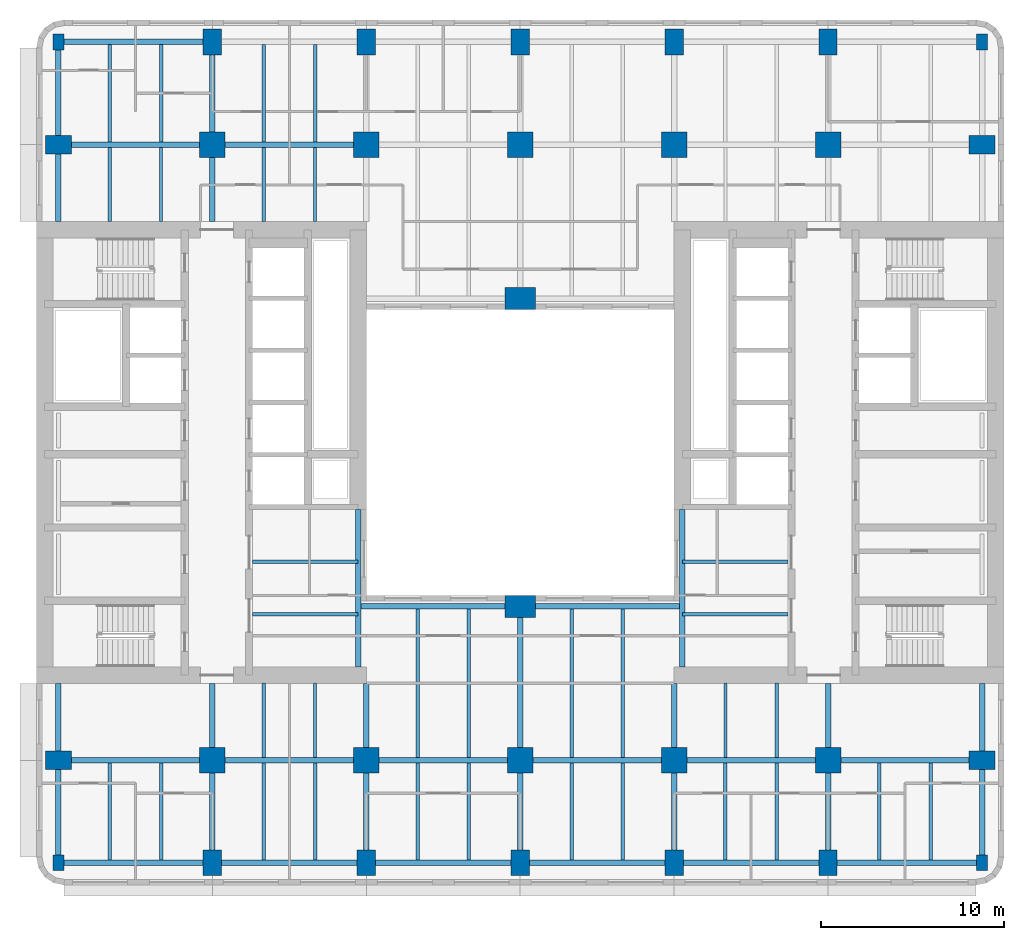
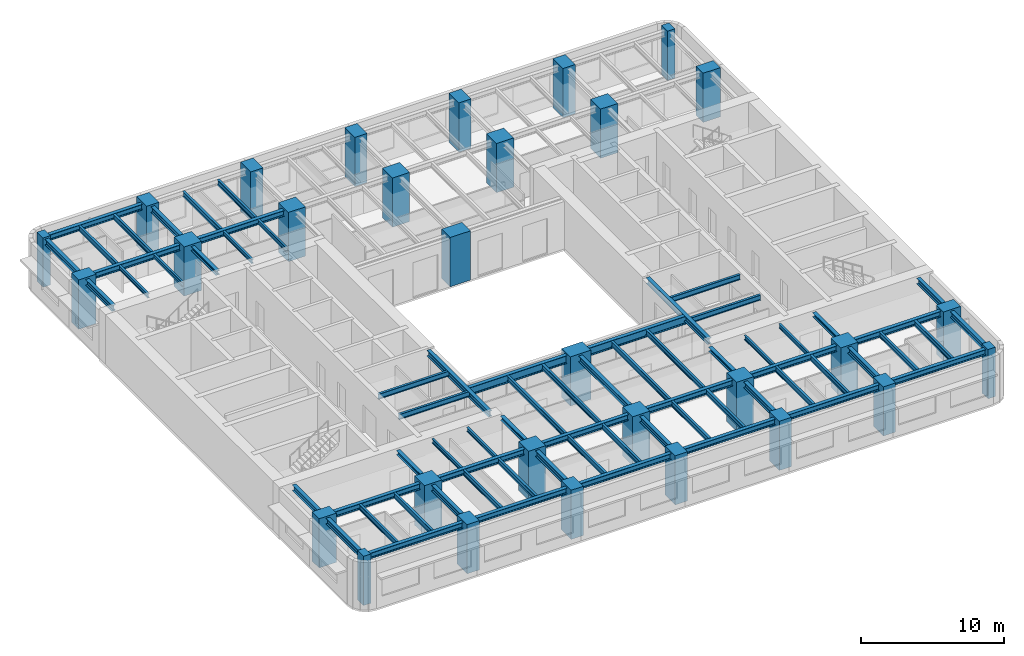
# One storey, part 1 of 11: 69 beams, 30 columns.
"""IFC4 building model written with IfcOpenShell, lengths in metres."""

import ifcopenshell
import ifcopenshell.guid

model = None  # the IFC model being written
_history = None  # IfcOwnerHistory: only IFC2X3 demands one
_inside = {}  # id of a spatial element -> (the spatial element, [elements in it])
_under = {}  # id of a project, library or spatial element -> (it, [spatial elements below it])
_declared = {}  # id of a project -> (the project, [libraries it declares])
_typed = {}  # id of a type object -> (the type object, [elements of that type])
_made_of = {}  # id of a material, layer set ... -> (it, [elements and type objects made of it])


def new_model(schema):
    """Start an empty IFC model of exactly this schema.

    Asked for "IFC4X3", IfcOpenShell would pick the latest addendum, in which some entities
    have other attributes; the version numbers below select the first issue.
    IFC2X3 requires an IfcOwnerHistory on every rooted entity: one is made here for all.
    """
    global model, _history
    if schema == "IFC4X3":
        model = ifcopenshell.file(schema_version=(4, 3, 0, 0))
    else:
        model = ifcopenshell.file(schema=schema)
    _inside.clear()
    _under.clear()
    _declared.clear()
    _typed.clear()
    _made_of.clear()
    _history = None
    if model.schema == "IFC2X3":
        org = make("IfcOrganization", Name="unknown")
        user = make(
            "IfcPersonAndOrganization",
            ThePerson=make("IfcPerson", FamilyName="unknown"),
            TheOrganization=org,
        )
        app = make(
            "IfcApplication",
            ApplicationDeveloper=org,
            Version="unknown",
            ApplicationFullName="unknown",
            ApplicationIdentifier="unknown",
        )
        _history = make(
            "IfcOwnerHistory",
            OwningUser=user,
            OwningApplication=app,
            ChangeAction="ADDED",
            CreationDate=0,
        )
    return model


def make(cls, **values):
    """One entity of the class cls with the attributes given. An attribute that is None is left unset."""
    return model.create_entity(
        cls, **{name: value for name, value in values.items() if value is not None}
    )


def rooted(cls, **values):
    """An entity with a GlobalId (a new one), such as an element, a storey or a relation."""
    return make(cls, GlobalId=ifcopenshell.guid.new(), OwnerHistory=_history, **values)


def si_unit(unit_type, name, prefix=None):
    """IfcSIUnit, for example si_unit("LENGTHUNIT", "METRE", prefix="MILLI")."""
    return make("IfcSIUnit", UnitType=unit_type, Prefix=prefix, Name=name)


def assignment(units):
    """IfcUnitAssignment: the units of a project."""
    return None if units is None else make("IfcUnitAssignment", Units=units)


def point(xyz):
    """IfcCartesianPoint."""
    return None if xyz is None else make("IfcCartesianPoint", Coordinates=xyz)


def direction(xyz):
    """IfcDirection."""
    return None if xyz is None else make("IfcDirection", DirectionRatios=xyz)


def frame(location, z_axis=None, x_axis=None):
    """IfcAxis2Placement3D, a coordinate frame: its origin and axes. An axis left out is left unset."""
    return make(
        "IfcAxis2Placement3D",
        Location=point(location),
        Axis=direction(z_axis),
        RefDirection=direction(x_axis),
    )


def frame_2d(location, x_axis=None):
    """IfcAxis2Placement2D, a coordinate frame in the plane: its origin and x axis."""
    return make(
        "IfcAxis2Placement2D", Location=point(location), RefDirection=direction(x_axis)
    )


def origin():
    """The frame at (0, 0, 0) with its axes left unset."""
    return frame((0.0, 0.0, 0.0))


def origin_2d():
    """The frame at (0, 0) in the plane with its x axis left unset."""
    return frame_2d((0.0, 0.0))


def place(relative_to, where):
    """IfcLocalPlacement: puts the frame where relative to a parent placement (None: the world)."""
    return make(
        "IfcLocalPlacement", PlacementRelTo=relative_to, RelativePlacement=where
    )


def context(
    kind, dimensions, precision=None, world=None, true_north=None, identifier=None
):
    """IfcGeometricRepresentationContext, for example the 3D "Model" context."""
    return make(
        "IfcGeometricRepresentationContext",
        ContextIdentifier=identifier,
        ContextType=kind,
        CoordinateSpaceDimension=dimensions,
        Precision=precision,
        WorldCoordinateSystem=world,
        TrueNorth=true_north,
    )


def subcontext(parent, identifier, kind, view, scale=None):
    """IfcGeometricRepresentationSubContext, for example "Body" below "Model"."""
    return make(
        "IfcGeometricRepresentationSubContext",
        ContextIdentifier=identifier,
        ContextType=kind,
        ParentContext=parent,
        TargetScale=scale,
        TargetView=view,
    )


def project(units=None, contexts=None):
    """IfcProject with its units and contexts."""
    return rooted(
        "IfcProject",
        Name="project",
        RepresentationContexts=contexts,
        UnitsInContext=assignment(units),
    )


def spatial(cls, under=None, at=None, **own):
    """A site, building, storey or space (cls), placed at a placement, below another one or the project."""
    s = rooted(cls, ObjectPlacement=at, **own)
    if under is not None:
        _under.setdefault(under.id(), (under, []))[1].append(s)
    return s


def profile(cls, at=None, kind="AREA", **sizes):
    """A parametric profile (cls). Its sizes go by their IFC names, for example OverallWidth=200.0."""
    return make(cls, ProfileType=kind, Position=at, **sizes)


def rectangle(**sizes):
    """IfcRectangleProfileDef."""
    return profile("IfcRectangleProfileDef", **sizes)


def i_section(**sizes):
    """IfcIShapeProfileDef."""
    return profile("IfcIShapeProfileDef", **sizes)


def extrude(swept, where, along, depth):
    """IfcExtrudedAreaSolid: the profile swept, set in the frame where, extruded along a direction by depth."""
    return make(
        "IfcExtrudedAreaSolid",
        SweptArea=swept,
        Position=where,
        ExtrudedDirection=direction(along),
        Depth=depth,
    )


def shape(context_of_items, identifier, shape_type, items):
    """IfcShapeRepresentation: the items that make up one representation, for example the "Body"."""
    return make(
        "IfcShapeRepresentation",
        ContextOfItems=context_of_items,
        RepresentationIdentifier=identifier,
        RepresentationType=shape_type,
        Items=items,
    )


def material(Name=None, Category=None):
    """IfcMaterial."""
    return make("IfcMaterial", Name=Name, Category=Category)


def material_profile(
    of_material, cross_section, Name=None, Category=None, Priority=None
):
    """IfcMaterialProfile: a cross section and its material."""
    return make(
        "IfcMaterialProfile",
        Name=Name,
        Material=of_material,
        Profile=cross_section,
        Priority=Priority,
        Category=Category,
    )


def profile_set(profiles, Name=None, composite=None):
    """IfcMaterialProfileSet."""
    return make(
        "IfcMaterialProfileSet",
        Name=Name,
        MaterialProfiles=profiles,
        CompositeProfile=composite,
    )


def made_of(thing, what):
    """Note that an element or type object is made of a material, layer set ...; save() writes the relation."""
    if what is not None:
        _made_of.setdefault(what.id(), (what, []))[1].append(thing)
    return thing


def type_object(cls, material=None, **own):
    """A type object (cls), such as IfcWallType, which elements share."""
    return made_of(rooted(cls, **own), material)


def element(
    cls,
    number,
    at=None,
    inside=None,
    cuts=None,
    type_object=None,
    material=None,
    context=None,
    identifier="Body",
    shape_type=None,
    held_by="IfcProductDefinitionShape",
    body=None,
    shapes=None,
    **own,
):
    """One element of the class cls, such as IfcWall. Its Tag is "e" and its number.

    at: its placement. inside: the storey or other place that contains it. cuts: it is an
    opening in that element (IfcRelVoidsElement). A single representation is given by context,
    identifier, shape_type and body (its items); several are given by shapes. held_by: the class
    of the entity that holds the representations. save() writes the other relations.
    """
    e = rooted(cls, Tag="e%d" % number, ObjectPlacement=at, **own)
    if body is not None:
        shapes = [shape(context, identifier, shape_type, body)]
    if shapes is not None:
        e.Representation = make(held_by, Representations=shapes)
    if inside is not None:
        _inside.setdefault(inside.id(), (inside, []))[1].append(e)
    if cuts is not None:
        rooted(
            "IfcRelVoidsElement", RelatingBuildingElement=cuts, RelatedOpeningElement=e
        )
    if type_object is not None:
        _typed.setdefault(type_object.id(), (type_object, []))[1].append(e)
    return made_of(e, material)


def aggregate(whole, parts):
    """IfcRelAggregates: a whole, such as a stair, and the parts it consists of."""
    return rooted("IfcRelAggregates", RelatingObject=whole, RelatedObjects=parts)


def save(model, path):
    """Write the relations noted so far, then the file.

    IfcRelAggregates (storeys below a building ...), IfcRelContainedInSpatialStructure (elements
    in a storey), IfcRelDefinesByType, IfcRelAssociatesMaterial and IfcRelDeclares: one each for
    every whole, place, type object, material and project.
    """
    for whole, parts in _under.values():
        aggregate(whole, parts)
    for where, things in _inside.values():
        rooted(
            "IfcRelContainedInSpatialStructure",
            RelatedElements=things,
            RelatingStructure=where,
        )
    for kind, things in _typed.values():
        rooted("IfcRelDefinesByType", RelatedObjects=things, RelatingType=kind)
    for what, things in _made_of.values():
        rooted("IfcRelAssociatesMaterial", RelatedObjects=things, RelatingMaterial=what)
    for by, libraries in _declared.values():
        rooted("IfcRelDeclares", RelatingContext=by, RelatedDefinitions=libraries)
    model.write(path)


model = new_model("IFC4")

# Units and contexts
model_context = context("Model", 3, precision=1e-05, world=origin(), true_north=direction((0.0, 1.0)))
body_context = subcontext(model_context, "Body", "Model", "MODEL_VIEW")
ifc_project = project(units=[si_unit("LENGTHUNIT", "METRE"), si_unit("AREAUNIT", "SQUARE_METRE"), si_unit("VOLUMEUNIT", "CUBIC_METRE"), si_unit("PLANEANGLEUNIT", "RADIAN"), si_unit("MASSUNIT", "GRAM", prefix="KILO")], contexts=[model_context])

# Site, building, storey
site_placement = place(None, origin())
site = spatial("IfcSite", under=ifc_project, at=site_placement, CompositionType="ELEMENT")
building_placement = place(site_placement, origin())
building = spatial("IfcBuilding", under=site, at=building_placement, Name="Claustro Exchange Tower", CompositionType="ELEMENT")
storey_placement = place(building_placement, frame((0.0, 0.0, 130.199951171875)))
storey = spatial("IfcBuildingStorey", under=building, at=storey_placement, Name="L29", CompositionType="ELEMENT", Elevation=130.199951171875)

# Columns
ifc_material_1 = material(Name="Concrete HA-70 (C70/85)", Category="concrete")
ifc_material_profile_1 = material_profile(ifc_material_1, rectangle(XDim=1.39990234375, YDim=1.39990234375, at=origin_2d()), Name="RC 1400x1400")
ifc_profile_set_1 = profile_set([ifc_material_profile_1], Name="Concrete HA-70 (C70/85)")
column_type_1 = type_object("IfcColumnType", Name="C0 RC 1400x1400 HA-70 column", PredefinedType="COLUMN", material=ifc_profile_set_1)
for number, where, z_axis, x_axis, name in (
    (1, (8.39990234375, 8.39990234375, 0.0), (0.0, 0.0, 1.0), (1.0, 0.0, 0.0), "Column C0 2/B L29"),
    (2, (8.39990234375, 42.0, 0.0), (0.0, 0.0, 1.0), (1.0, 0.0, 0.0), "Column C0 2/F L29"),
    (3, (16.800048828125, 8.39990234375, 0.0), (0.0, 0.0, 1.0), (1.0, 0.0, 0.0), "Column C0 3/B L29"),
    (4, (16.800048828125, 42.0, 0.0), (0.0, 0.0, 1.0), (1.0, 0.0, 0.0), "Column C0 3/F L29"),
    (5, (25.199951171875, 8.39990234375, 0.0), (0.0, 0.0, 1.0), (1.0, 0.0, 0.0), "Column C0 4/B L29"),
    (6, (25.199951171875, 42.0, 0.0), (0.0, 0.0, 1.0), (1.0, 0.0, 0.0), "Column C0 4/F L29"),
    (7, (33.60009765625, 8.39990234375, 0.0), (0.0, 0.0, 1.0), (1.0, 0.0, 0.0), "Column C0 5/B L29"),
    (8, (33.60009765625, 42.0, 0.0), (0.0, 0.0, 1.0), (1.0, 0.0, 0.0), "Column C0 5/F L29"),
    (9, (42.0, 8.39990234375, 0.0), (0.0, 0.0, 1.0), (1.0, 0.0, 0.0), "Column C0 6/B L29"),
    (10, (42.0, 42.0, 0.0), (0.0, 0.0, 1.0), (1.0, 0.0, 0.0), "Column C0 6/F L29"),
):
    element("IfcColumn", number, at=place(storey_placement, frame(where, z_axis=z_axis, x_axis=x_axis)), inside=storey, type_object=column_type_1, Name=name, PredefinedType="COLUMN", context=body_context, shape_type="SweptSolid", body=[
        extrude(rectangle(XDim=1.39990234375, YDim=1.39990234375, at=origin_2d()), origin(), (0.0, 0.0, 1.0), 4.199951171875),
    ])
ifc_material_2 = material(Name="Concrete HA-70 (C70/85)", Category="concrete")
ifc_material_profile_2 = material_profile(ifc_material_2, rectangle(XDim=1.0, YDim=1.39990234375, at=origin_2d()), Name="RC 1000x1400")
ifc_profile_set_2 = profile_set([ifc_material_profile_2], Name="Concrete HA-70 (C70/85)")
column_type_2 = type_object("IfcColumnType", Name="C22 RC 1000x1400 HA-70 perimeter column", PredefinedType="COLUMN", material=ifc_profile_set_2)
for number, where, z_axis, x_axis, name in (
    (11, (0.0, 8.39990234375, 0.0), (0.0, 0.0, 1.0), (0.0, 1.0, 0.0), "Column C22 1/B L29"),
    (12, (0.0, 42.0, 0.0), (0.0, 0.0, 1.0), (0.0, 1.0, 0.0), "Column C22 1/F L29"),
    (13, (8.39990234375, 2.800048828125, 0.0), (0.0, 0.0, 1.0), (1.0, 0.0, 0.0), "Column C22 2/A+2800 L29"),
    (14, (8.39990234375, 47.60009765625, 0.0), (0.0, 0.0, 1.0), (1.0, 0.0, 0.0), "Column C22 2/F+5600 L29"),
    (15, (16.800048828125, 2.800048828125, 0.0), (0.0, 0.0, 1.0), (1.0, 0.0, 0.0), "Column C22 3/A+2800 L29"),
    (16, (16.800048828125, 47.60009765625, 0.0), (0.0, 0.0, 1.0), (1.0, 0.0, 0.0), "Column C22 3/F+5600 L29"),
    (17, (25.199951171875, 2.800048828125, 0.0), (0.0, 0.0, 1.0), (1.0, 0.0, 0.0), "Column C22 4/A+2800 L29"),
    (18, (25.199951171875, 47.60009765625, 0.0), (0.0, 0.0, 1.0), (1.0, 0.0, 0.0), "Column C22 4/F+5600 L29"),
    (19, (33.60009765625, 2.800048828125, 0.0), (0.0, 0.0, 1.0), (1.0, 0.0, 0.0), "Column C22 5/A+2800 L29"),
    (20, (33.60009765625, 47.60009765625, 0.0), (0.0, 0.0, 1.0), (1.0, 0.0, 0.0), "Column C22 5/F+5600 L29"),
    (21, (42.0, 2.800048828125, 0.0), (0.0, 0.0, 1.0), (1.0, 0.0, 0.0), "Column C22 6/A+2800 L29"),
    (22, (42.0, 47.60009765625, 0.0), (0.0, 0.0, 1.0), (1.0, 0.0, 0.0), "Column C22 6/F+5600 L29"),
    (23, (50.39990234375, 8.39990234375, 0.0), (0.0, 0.0, 1.0), (0.0, 1.0, 0.0), "Column C22 7/B L29"),
    (24, (50.39990234375, 42.0, 0.0), (0.0, 0.0, 1.0), (0.0, 1.0, 0.0), "Column C22 7/F L29"),
):
    element("IfcColumn", number, at=place(storey_placement, frame(where, z_axis=z_axis, x_axis=x_axis)), inside=storey, type_object=column_type_2, Name=name, PredefinedType="COLUMN", context=body_context, shape_type="SweptSolid", body=[
        extrude(rectangle(XDim=1.0, YDim=1.39990234375, at=origin_2d()), origin(), (0.0, 0.0, 1.0), 4.199951171875),
    ])
ifc_material_3 = material(Name="Concrete HA-50 (C50/60)", Category="concrete")
ifc_material_profile_3 = material_profile(ifc_material_3, rectangle(XDim=0.60009765625, YDim=0.85009765625, at=origin_2d()), Name="RC 600x850")
ifc_profile_set_3 = profile_set([ifc_material_profile_3], Name="Concrete HA-50 (C50/60)")
column_type_3 = type_object("IfcColumnType", Name="C25 RC 600x850 HA-50 corner column", PredefinedType="COLUMN", material=ifc_profile_set_3)
for number, where, z_axis, x_axis, name in (
    (25, (0.0, 2.800048828125, 0.0), (0.0, 0.0, 1.0), (1.0, 0.0, 0.0), "Column C25 1/A+2800 L29"),
    (26, (0.0, 47.60009765625, 0.0), (0.0, 0.0, 1.0), (1.0, 0.0, 0.0), "Column C25 1/F+5600 L29"),
    (27, (50.39990234375, 2.800048828125, 0.0), (0.0, 0.0, 1.0), (1.0, 0.0, 0.0), "Column C25 7/A+2800 L29"),
    (28, (50.39990234375, 47.60009765625, 0.0), (0.0, 0.0, 1.0), (1.0, 0.0, 0.0), "Column C25 7/F+5600 L29"),
):
    element("IfcColumn", number, at=place(storey_placement, frame(where, z_axis=z_axis, x_axis=x_axis)), inside=storey, type_object=column_type_3, Name=name, PredefinedType="COLUMN", context=body_context, shape_type="SweptSolid", body=[
        extrude(rectangle(XDim=0.60009765625, YDim=0.85009765625, at=origin_2d()), origin(), (0.0, 0.0, 1.0), 4.199951171875),
    ])
ifc_material_4 = material(Name="Concrete HA-70 (C70/85)", Category="concrete")
ifc_material_profile_4 = material_profile(ifc_material_4, rectangle(XDim=1.64990234375, YDim=1.199951171875, at=origin_2d()), Name="RC 1650x1200")
ifc_profile_set_4 = profile_set([ifc_material_profile_4], Name="Concrete HA-70 (C70/85)")
column_type_4 = type_object("IfcColumnType", Name="C32 RC 1650x1200 HA-70 light well column", PredefinedType="COLUMN", material=ifc_profile_set_4)
for number, where, z_axis, x_axis, name in (
    (29, (25.199951171875, 16.800048828125, 0.0), (0.0, 0.0, 1.0), (1.0, 0.0, 0.0), "Column C32 4/C L29"),
    (30, (25.199951171875, 33.60009765625, 0.0), (0.0, 0.0, 1.0), (1.0, 0.0, 0.0), "Column C32 4/E L29"),
):
    element("IfcColumn", number, at=place(storey_placement, frame(where, z_axis=z_axis, x_axis=x_axis)), inside=storey, type_object=column_type_4, Name=name, PredefinedType="COLUMN", context=body_context, shape_type="SweptSolid", body=[
        extrude(rectangle(XDim=1.64990234375, YDim=1.199951171875, at=origin_2d()), origin(), (0.0, 0.0, 1.0), 4.199951171875),
    ])

# Beams
ifc_material_5 = material(Name="Steel S355", Category="steel")
ifc_material_profile_5 = material_profile(ifc_material_5, i_section(OverallWidth=0.300048828125, OverallDepth=0.68994140625, WebThickness=0.014404296875, FlangeThickness=0.027099609375, FilletRadius=0.027099609375, at=origin_2d()), Name="HE 700 A")
ifc_profile_set_5 = profile_set([ifc_material_profile_5], Name="Steel S355")
beam_type_1 = type_object("IfcBeamType", Name="B13 HE 700 A light well edge girder", PredefinedType="BEAM", material=ifc_profile_set_5)
beam_1_placement = place(storey_placement, frame((16.35009765625, 16.800048828125, 3.705078125), z_axis=(1.0, 0.0, 0.0), x_axis=(0.0, 1.0, 0.0)))
element("IfcBeam", 31, at=beam_1_placement, inside=storey, type_object=beam_type_1, Name="Beam B13 L30", PredefinedType="BEAM", context=body_context, shape_type="SweptSolid", body=[
    extrude(i_section(OverallWidth=0.300048828125, OverallDepth=0.68994140625, WebThickness=0.014404296875, FlangeThickness=0.027099609375, FilletRadius=0.027099609375, at=origin_2d()), origin(), (0.0, 0.0, 1.0), 8.849853515625),
])
beam_2_placement = place(storey_placement, frame((25.199951171875, 16.800048828125, 3.705078125), z_axis=(1.0, 0.0, 0.0), x_axis=(0.0, 1.0, 0.0)))
element("IfcBeam", 32, at=beam_2_placement, inside=storey, type_object=beam_type_1, Name="Beam B13 L30", PredefinedType="BEAM", context=body_context, shape_type="SweptSolid", body=[
    extrude(i_section(OverallWidth=0.300048828125, OverallDepth=0.68994140625, WebThickness=0.014404296875, FlangeThickness=0.027099609375, FilletRadius=0.027099609375, at=origin_2d()), origin(), (0.0, 0.0, 1.0), 8.85009765625),
])
ifc_material_6 = material(Name="Steel S355", Category="steel")
ifc_material_profile_6 = material_profile(ifc_material_6, i_section(OverallWidth=0.169921875, OverallDepth=0.360107421875, WebThickness=0.008056640625, FlangeThickness=0.0126953125, FilletRadius=0.01806640625, at=origin_2d()), Name="IPE 360")
ifc_profile_set_6 = profile_set([ifc_material_profile_6], Name="Steel S355")
beam_type_2 = type_object("IfcBeamType", Name="B16 IPE 360 short-span beam", PredefinedType="BEAM", material=ifc_profile_set_6)
for number, where, z_axis, x_axis, name in (
    (33, (2.800048828125, 37.7900390625, 3.8701171875), (0.0, 1.0, 0.0), (-1.0, 0.0, 0.0), "Beam B16 L30"),
    (34, (5.60009765625, 37.7900390625, 3.8701171875), (0.0, 1.0, 0.0), (-1.0, 0.0, 0.0), "Beam B16 L30"),
    (35, (11.199951171875, 8.550048828125, 3.8701171875), (0.0, 1.0, 0.0), (-1.0, 0.0, 0.0), "Beam B16 L30"),
    (36, (14.0, 8.550048828125, 3.8701171875), (0.0, 1.0, 0.0), (-1.0, 0.0, 0.0), "Beam B16 L30"),
    (37, (11.199951171875, 37.7900390625, 3.8701171875), (0.0, 1.0, 0.0), (-1.0, 0.0, 0.0), "Beam B16 L30"),
    (38, (14.0, 37.7900390625, 3.8701171875), (0.0, 1.0, 0.0), (-1.0, 0.0, 0.0), "Beam B16 L30"),
    (39, (36.39990234375, 8.550048828125, 3.8701171875), (0.0, 1.0, 0.0), (-1.0, 0.0, 0.0), "Beam B16 L30"),
    (40, (39.199951171875, 8.550048828125, 3.8701171875), (0.0, 1.0, 0.0), (-1.0, 0.0, 0.0), "Beam B16 L30"),
):
    element("IfcBeam", number, at=place(storey_placement, frame(where, z_axis=z_axis, x_axis=x_axis)), inside=storey, type_object=beam_type_2, Name=name, PredefinedType="BEAM", context=body_context, shape_type="SweptSolid", body=[
        extrude(i_section(OverallWidth=0.169921875, OverallDepth=0.360107421875, WebThickness=0.008056640625, FlangeThickness=0.0126953125, FilletRadius=0.01806640625, at=origin_2d()), origin(), (0.0, 0.0, 1.0), 4.06005859375),
    ])
ifc_material_7 = material(Name="Steel S355", Category="steel")
ifc_material_profile_7 = material_profile(ifc_material_7, i_section(OverallWidth=0.300048828125, OverallDepth=0.360107421875, WebThickness=0.012451171875, FlangeThickness=0.0224609375, FilletRadius=0.027099609375, at=origin_2d()), Name="HE 360 B")
ifc_profile_set_7 = profile_set([ifc_material_profile_7], Name="Steel S355")
beam_type_3 = type_object("IfcBeamType", Name="B29 HE 360 B column to core link beam", PredefinedType="BEAM", material=ifc_profile_set_7)
beam_3_placement = place(storey_placement, frame((8.39990234375, 8.39990234375, 3.8701171875), z_axis=(0.0, 1.0, 0.0), x_axis=(-1.0, 0.0, 0.0)))
element("IfcBeam", 41, at=beam_3_placement, inside=storey, type_object=beam_type_3, Name="Beam B29 L30", PredefinedType="BEAM", context=body_context, shape_type="SweptSolid", body=[
    extrude(i_section(OverallWidth=0.300048828125, OverallDepth=0.360107421875, WebThickness=0.012451171875, FlangeThickness=0.0224609375, FilletRadius=0.027099609375, at=origin_2d()), origin(), (0.0, 0.0, 1.0), 4.2001953125),
])
beam_4_placement = place(storey_placement, frame((8.39990234375, 37.800048828125, 3.8701171875), z_axis=(0.0, 1.0, 0.0), x_axis=(-1.0, 0.0, 0.0)))
element("IfcBeam", 42, at=beam_4_placement, inside=storey, type_object=beam_type_3, Name="Beam B29 L30", PredefinedType="BEAM", context=body_context, shape_type="SweptSolid", body=[
    extrude(i_section(OverallWidth=0.300048828125, OverallDepth=0.360107421875, WebThickness=0.012451171875, FlangeThickness=0.0224609375, FilletRadius=0.027099609375, at=origin_2d()), origin(), (0.0, 0.0, 1.0), 4.199951171875),
])
for number, where, z_axis, x_axis, name in (
    (43, (16.800048828125, 8.39990234375, 3.8701171875), (0.0, 1.0, 0.0), (-1.0, 0.0, 0.0), "Beam B29 L30"),
    (44, (33.60009765625, 8.39990234375, 3.8701171875), (0.0, 1.0, 0.0), (-1.0, 0.0, 0.0), "Beam B29 L30"),
    (45, (42.0, 8.39990234375, 3.8701171875), (0.0, 1.0, 0.0), (-1.0, 0.0, 0.0), "Beam B29 L30"),
):
    element("IfcBeam", number, at=place(storey_placement, frame(where, z_axis=z_axis, x_axis=x_axis)), inside=storey, type_object=beam_type_3, Name=name, PredefinedType="BEAM", context=body_context, shape_type="SweptSolid", body=[
        extrude(i_section(OverallWidth=0.300048828125, OverallDepth=0.360107421875, WebThickness=0.012451171875, FlangeThickness=0.0224609375, FilletRadius=0.027099609375, at=origin_2d()), origin(), (0.0, 0.0, 1.0), 4.2001953125),
    ])
ifc_material_8 = material(Name="Steel S355", Category="steel")
ifc_material_profile_8 = material_profile(ifc_material_8, i_section(OverallWidth=0.300048828125, OverallDepth=0.5, WebThickness=0.014404296875, FlangeThickness=0.028076171875, FilletRadius=0.027099609375, at=origin_2d()), Name="HE 500 B")
ifc_profile_set_8 = profile_set([ifc_material_profile_8], Name="Steel S355")
beam_type_4 = type_object("IfcBeamType", Name="B7 HE 500 B floor girder", PredefinedType="BEAM", material=ifc_profile_set_8)
beam_5_placement = place(storey_placement, frame((8.39990234375, 2.800048828125, 3.800048828125), z_axis=(0.0, 1.0, 0.0), x_axis=(-1.0, 0.0, 0.0)))
element("IfcBeam", 46, at=beam_5_placement, inside=storey, type_object=beam_type_4, Name="Beam B7 L30", PredefinedType="BEAM", context=body_context, shape_type="SweptSolid", body=[
    extrude(i_section(OverallWidth=0.300048828125, OverallDepth=0.5, WebThickness=0.014404296875, FlangeThickness=0.028076171875, FilletRadius=0.027099609375, at=origin_2d()), origin(), (0.0, 0.0, 1.0), 5.599853515625),
])
beam_6_placement = place(storey_placement, frame((8.39990234375, 42.0, 3.800048828125), z_axis=(0.0, 1.0, 0.0), x_axis=(-1.0, 0.0, 0.0)))
element("IfcBeam", 47, at=beam_6_placement, inside=storey, type_object=beam_type_4, Name="Beam B7 L30", PredefinedType="BEAM", context=body_context, shape_type="SweptSolid", body=[
    extrude(i_section(OverallWidth=0.300048828125, OverallDepth=0.5, WebThickness=0.014404296875, FlangeThickness=0.028076171875, FilletRadius=0.027099609375, at=origin_2d()), origin(), (0.0, 0.0, 1.0), 5.60009765625),
])
for number, where, z_axis, x_axis, name in (
    (48, (16.800048828125, 2.800048828125, 3.800048828125), (0.0, 1.0, 0.0), (-1.0, 0.0, 0.0), "Beam B7 L30"),
    (49, (25.199951171875, 2.800048828125, 3.800048828125), (0.0, 1.0, 0.0), (-1.0, 0.0, 0.0), "Beam B7 L30"),
):
    element("IfcBeam", number, at=place(storey_placement, frame(where, z_axis=z_axis, x_axis=x_axis)), inside=storey, type_object=beam_type_4, Name=name, PredefinedType="BEAM", context=body_context, shape_type="SweptSolid", body=[
        extrude(i_section(OverallWidth=0.300048828125, OverallDepth=0.5, WebThickness=0.014404296875, FlangeThickness=0.028076171875, FilletRadius=0.027099609375, at=origin_2d()), origin(), (0.0, 0.0, 1.0), 5.599853515625),
    ])
beam_7_placement = place(storey_placement, frame((25.199951171875, 8.39990234375, 3.800048828125), z_axis=(0.0, 1.0, 0.0), x_axis=(-1.0, 0.0, 0.0)))
element("IfcBeam", 50, at=beam_7_placement, inside=storey, type_object=beam_type_4, Name="Beam B7 L30", PredefinedType="BEAM", context=body_context, shape_type="SweptSolid", body=[
    extrude(i_section(OverallWidth=0.300048828125, OverallDepth=0.5, WebThickness=0.014404296875, FlangeThickness=0.028076171875, FilletRadius=0.027099609375, at=origin_2d()), origin(), (0.0, 0.0, 1.0), 8.400146484375),
])
for number, where, z_axis, x_axis, name in (
    (51, (33.60009765625, 2.800048828125, 3.800048828125), (0.0, 1.0, 0.0), (-1.0, 0.0, 0.0), "Beam B7 L30"),
    (52, (42.0, 2.800048828125, 3.800048828125), (0.0, 1.0, 0.0), (-1.0, 0.0, 0.0), "Beam B7 L30"),
):
    element("IfcBeam", number, at=place(storey_placement, frame(where, z_axis=z_axis, x_axis=x_axis)), inside=storey, type_object=beam_type_4, Name=name, PredefinedType="BEAM", context=body_context, shape_type="SweptSolid", body=[
        extrude(i_section(OverallWidth=0.300048828125, OverallDepth=0.5, WebThickness=0.014404296875, FlangeThickness=0.028076171875, FilletRadius=0.027099609375, at=origin_2d()), origin(), (0.0, 0.0, 1.0), 5.599853515625),
    ])
beam_8_placement = place(storey_placement, frame((0.0, 8.39990234375, 3.800048828125), z_axis=(1.0, 0.0, 0.0), x_axis=(0.0, 1.0, 0.0)))
element("IfcBeam", 53, at=beam_8_placement, inside=storey, type_object=beam_type_4, Name="Beam B7 L30", PredefinedType="BEAM", context=body_context, shape_type="SweptSolid", body=[
    extrude(i_section(OverallWidth=0.300048828125, OverallDepth=0.5, WebThickness=0.014404296875, FlangeThickness=0.028076171875, FilletRadius=0.027099609375, at=origin_2d()), origin(), (0.0, 0.0, 1.0), 8.39990234375),
])
beam_9_placement = place(storey_placement, frame((8.39990234375, 8.39990234375, 3.800048828125), z_axis=(1.0, 0.0, 0.0), x_axis=(0.0, 1.0, 0.0)))
element("IfcBeam", 54, at=beam_9_placement, inside=storey, type_object=beam_type_4, Name="Beam B7 L30", PredefinedType="BEAM", context=body_context, shape_type="SweptSolid", body=[
    extrude(i_section(OverallWidth=0.300048828125, OverallDepth=0.5, WebThickness=0.014404296875, FlangeThickness=0.028076171875, FilletRadius=0.027099609375, at=origin_2d()), origin(), (0.0, 0.0, 1.0), 8.400146484375),
])
beam_10_placement = place(storey_placement, frame((16.800048828125, 8.39990234375, 3.800048828125), z_axis=(1.0, 0.0, 0.0), x_axis=(0.0, 1.0, 0.0)))
element("IfcBeam", 55, at=beam_10_placement, inside=storey, type_object=beam_type_4, Name="Beam B7 L30", PredefinedType="BEAM", context=body_context, shape_type="SweptSolid", body=[
    extrude(i_section(OverallWidth=0.300048828125, OverallDepth=0.5, WebThickness=0.014404296875, FlangeThickness=0.028076171875, FilletRadius=0.027099609375, at=origin_2d()), origin(), (0.0, 0.0, 1.0), 8.39990234375),
])
beam_11_placement = place(storey_placement, frame((25.199951171875, 8.39990234375, 3.800048828125), z_axis=(1.0, 0.0, 0.0), x_axis=(0.0, 1.0, 0.0)))
element("IfcBeam", 56, at=beam_11_placement, inside=storey, type_object=beam_type_4, Name="Beam B7 L30", PredefinedType="BEAM", context=body_context, shape_type="SweptSolid", body=[
    extrude(i_section(OverallWidth=0.300048828125, OverallDepth=0.5, WebThickness=0.014404296875, FlangeThickness=0.028076171875, FilletRadius=0.027099609375, at=origin_2d()), origin(), (0.0, 0.0, 1.0), 8.400146484375),
])
for number, where, z_axis, x_axis, name in (
    (57, (33.60009765625, 8.39990234375, 3.800048828125), (1.0, 0.0, 0.0), (0.0, 1.0, 0.0), "Beam B7 L30"),
    (58, (42.0, 8.39990234375, 3.800048828125), (1.0, 0.0, 0.0), (0.0, 1.0, 0.0), "Beam B7 L30"),
    (59, (0.0, 42.0, 3.800048828125), (1.0, 0.0, 0.0), (0.0, 1.0, 0.0), "Beam B7 L30"),
):
    element("IfcBeam", number, at=place(storey_placement, frame(where, z_axis=z_axis, x_axis=x_axis)), inside=storey, type_object=beam_type_4, Name=name, PredefinedType="BEAM", context=body_context, shape_type="SweptSolid", body=[
        extrude(i_section(OverallWidth=0.300048828125, OverallDepth=0.5, WebThickness=0.014404296875, FlangeThickness=0.028076171875, FilletRadius=0.027099609375, at=origin_2d()), origin(), (0.0, 0.0, 1.0), 8.39990234375),
    ])
beam_12_placement = place(storey_placement, frame((8.39990234375, 42.0, 3.800048828125), z_axis=(1.0, 0.0, 0.0), x_axis=(0.0, 1.0, 0.0)))
element("IfcBeam", 60, at=beam_12_placement, inside=storey, type_object=beam_type_4, Name="Beam B7 L30", PredefinedType="BEAM", context=body_context, shape_type="SweptSolid", body=[
    extrude(i_section(OverallWidth=0.300048828125, OverallDepth=0.5, WebThickness=0.014404296875, FlangeThickness=0.028076171875, FilletRadius=0.027099609375, at=origin_2d()), origin(), (0.0, 0.0, 1.0), 8.400146484375),
])
for number, where, z_axis, x_axis, name in (
    (61, (16.35009765625, 13.5, 3.800048828125), (0.0, 1.0, 0.0), (-1.0, 0.0, 0.0), "Beam B7 core step framing L30"),
    (62, (34.050048828125, 13.5, 3.800048828125), (0.0, 1.0, 0.0), (-1.0, 0.0, 0.0), "Beam B7 core step framing L30"),
):
    element("IfcBeam", number, at=place(storey_placement, frame(where, z_axis=z_axis, x_axis=x_axis)), inside=storey, type_object=beam_type_4, Name=name, PredefinedType="BEAM", context=body_context, shape_type="SweptSolid", body=[
        extrude(i_section(OverallWidth=0.300048828125, OverallDepth=0.5, WebThickness=0.014404296875, FlangeThickness=0.028076171875, FilletRadius=0.027099609375, at=origin_2d()), origin(), (0.0, 0.0, 1.0), 8.60009765625),
    ])
ifc_material_9 = material(Name="Steel S355", Category="steel")
ifc_material_profile_9 = material_profile(ifc_material_9, i_section(OverallWidth=0.18994140625, OverallDepth=0.449951171875, WebThickness=0.009521484375, FlangeThickness=0.0146484375, FilletRadius=0.02099609375, at=origin_2d()), Name="IPE 450")
ifc_profile_set_9 = profile_set([ifc_material_profile_9], Name="Steel S355")
beam_type_5 = type_object("IfcBeamType", Name="B8 IPE 450 secondary beam", PredefinedType="BEAM", material=ifc_profile_set_9)
for number, where, z_axis, x_axis, name in (
    (63, (2.800048828125, 2.949951171875, 3.824951171875), (0.0, 1.0, 0.0), (-1.0, 0.0, 0.0), "Beam B8 L30"),
    (64, (5.60009765625, 2.949951171875, 3.824951171875), (0.0, 1.0, 0.0), (-1.0, 0.0, 0.0), "Beam B8 L30"),
    (65, (2.800048828125, 42.14990234375, 3.824951171875), (0.0, 1.0, 0.0), (-1.0, 0.0, 0.0), "Beam B8 L30"),
    (66, (5.60009765625, 42.14990234375, 3.824951171875), (0.0, 1.0, 0.0), (-1.0, 0.0, 0.0), "Beam B8 L30"),
    (67, (11.199951171875, 2.949951171875, 3.824951171875), (0.0, 1.0, 0.0), (-1.0, 0.0, 0.0), "Beam B8 L30"),
    (68, (14.0, 2.949951171875, 3.824951171875), (0.0, 1.0, 0.0), (-1.0, 0.0, 0.0), "Beam B8 L30"),
    (69, (11.199951171875, 42.14990234375, 3.824951171875), (0.0, 1.0, 0.0), (-1.0, 0.0, 0.0), "Beam B8 L30"),
    (70, (14.0, 42.14990234375, 3.824951171875), (0.0, 1.0, 0.0), (-1.0, 0.0, 0.0), "Beam B8 L30"),
    (71, (19.60009765625, 2.949951171875, 3.824951171875), (0.0, 1.0, 0.0), (-1.0, 0.0, 0.0), "Beam B8 L30"),
    (72, (22.39990234375, 2.949951171875, 3.824951171875), (0.0, 1.0, 0.0), (-1.0, 0.0, 0.0), "Beam B8 L30"),
):
    element("IfcBeam", number, at=place(storey_placement, frame(where, z_axis=z_axis, x_axis=x_axis)), inside=storey, type_object=beam_type_5, Name=name, PredefinedType="BEAM", context=body_context, shape_type="SweptSolid", body=[
        extrude(i_section(OverallWidth=0.18994140625, OverallDepth=0.449951171875, WebThickness=0.009521484375, FlangeThickness=0.0146484375, FilletRadius=0.02099609375, at=origin_2d()), origin(), (0.0, 0.0, 1.0), 5.300048828125),
    ])
for number, where, z_axis, x_axis, name in (
    (73, (19.60009765625, 8.550048828125, 3.824951171875), (0.0, 1.0, 0.0), (-1.0, 0.0, 0.0), "Beam B8 L30"),
    (74, (22.39990234375, 8.550048828125, 3.824951171875), (0.0, 1.0, 0.0), (-1.0, 0.0, 0.0), "Beam B8 L30"),
):
    element("IfcBeam", number, at=place(storey_placement, frame(where, z_axis=z_axis, x_axis=x_axis)), inside=storey, type_object=beam_type_5, Name=name, PredefinedType="BEAM", context=body_context, shape_type="SweptSolid", body=[
        extrude(i_section(OverallWidth=0.18994140625, OverallDepth=0.449951171875, WebThickness=0.009521484375, FlangeThickness=0.0146484375, FilletRadius=0.02099609375, at=origin_2d()), origin(), (0.0, 0.0, 1.0), 8.099853515625),
    ])
for number, where, z_axis, x_axis, name in (
    (75, (28.0, 2.949951171875, 3.824951171875), (0.0, 1.0, 0.0), (-1.0, 0.0, 0.0), "Beam B8 L30"),
    (76, (30.800048828125, 2.949951171875, 3.824951171875), (0.0, 1.0, 0.0), (-1.0, 0.0, 0.0), "Beam B8 L30"),
):
    element("IfcBeam", number, at=place(storey_placement, frame(where, z_axis=z_axis, x_axis=x_axis)), inside=storey, type_object=beam_type_5, Name=name, PredefinedType="BEAM", context=body_context, shape_type="SweptSolid", body=[
        extrude(i_section(OverallWidth=0.18994140625, OverallDepth=0.449951171875, WebThickness=0.009521484375, FlangeThickness=0.0146484375, FilletRadius=0.02099609375, at=origin_2d()), origin(), (0.0, 0.0, 1.0), 5.300048828125),
    ])
for number, where, z_axis, x_axis, name in (
    (77, (28.0, 8.550048828125, 3.824951171875), (0.0, 1.0, 0.0), (-1.0, 0.0, 0.0), "Beam B8 L30"),
    (78, (30.800048828125, 8.550048828125, 3.824951171875), (0.0, 1.0, 0.0), (-1.0, 0.0, 0.0), "Beam B8 L30"),
):
    element("IfcBeam", number, at=place(storey_placement, frame(where, z_axis=z_axis, x_axis=x_axis)), inside=storey, type_object=beam_type_5, Name=name, PredefinedType="BEAM", context=body_context, shape_type="SweptSolid", body=[
        extrude(i_section(OverallWidth=0.18994140625, OverallDepth=0.449951171875, WebThickness=0.009521484375, FlangeThickness=0.0146484375, FilletRadius=0.02099609375, at=origin_2d()), origin(), (0.0, 0.0, 1.0), 8.099853515625),
    ])
for number, where, z_axis, x_axis, name in (
    (79, (36.39990234375, 2.949951171875, 3.824951171875), (0.0, 1.0, 0.0), (-1.0, 0.0, 0.0), "Beam B8 L30"),
    (80, (39.199951171875, 2.949951171875, 3.824951171875), (0.0, 1.0, 0.0), (-1.0, 0.0, 0.0), "Beam B8 L30"),
    (81, (44.800048828125, 2.949951171875, 3.824951171875), (0.0, 1.0, 0.0), (-1.0, 0.0, 0.0), "Beam B8 L30"),
    (82, (47.60009765625, 2.949951171875, 3.824951171875), (0.0, 1.0, 0.0), (-1.0, 0.0, 0.0), "Beam B8 L30"),
):
    element("IfcBeam", number, at=place(storey_placement, frame(where, z_axis=z_axis, x_axis=x_axis)), inside=storey, type_object=beam_type_5, Name=name, PredefinedType="BEAM", context=body_context, shape_type="SweptSolid", body=[
        extrude(i_section(OverallWidth=0.18994140625, OverallDepth=0.449951171875, WebThickness=0.009521484375, FlangeThickness=0.0146484375, FilletRadius=0.02099609375, at=origin_2d()), origin(), (0.0, 0.0, 1.0), 5.300048828125),
    ])
for number, where, z_axis, x_axis, name in (
    (83, (10.60009765625, 16.36669921875, 3.824951171875), (1.0, 0.0, 0.0), (0.0, 1.0, 0.0), "Beam B8 core step framing L30"),
    (84, (10.60009765625, 19.2333984375, 3.824951171875), (1.0, 0.0, 0.0), (0.0, 1.0, 0.0), "Beam B8 core step framing L30"),
    (85, (34.050048828125, 16.36669921875, 3.824951171875), (1.0, 0.0, 0.0), (0.0, 1.0, 0.0), "Beam B8 core step framing L30"),
    (86, (34.050048828125, 19.2333984375, 3.824951171875), (1.0, 0.0, 0.0), (0.0, 1.0, 0.0), "Beam B8 core step framing L30"),
):
    element("IfcBeam", number, at=place(storey_placement, frame(where, z_axis=z_axis, x_axis=x_axis)), inside=storey, type_object=beam_type_5, Name=name, PredefinedType="BEAM", context=body_context, shape_type="SweptSolid", body=[
        extrude(i_section(OverallWidth=0.18994140625, OverallDepth=0.449951171875, WebThickness=0.009521484375, FlangeThickness=0.0146484375, FilletRadius=0.02099609375, at=origin_2d()), origin(), (0.0, 0.0, 1.0), 5.75),
    ])
ifc_material_10 = material(Name="Steel S355", Category="steel")
ifc_material_profile_10 = material_profile(ifc_material_10, i_section(OverallWidth=0.300048828125, OverallDepth=0.489990234375, WebThickness=0.011962890625, FlangeThickness=0.02294921875, FilletRadius=0.027099609375, at=origin_2d()), Name="HE 500 A")
ifc_profile_set_10 = profile_set([ifc_material_profile_10], Name="Steel S355")
beam_type_6 = type_object("IfcBeamType", Name="B9 HE 500 A spandrel edge girder", PredefinedType="SPANDREL", material=ifc_profile_set_10)
beam_13_placement = place(storey_placement, frame((0.0, 2.800048828125, 3.804931640625), z_axis=(0.0, 1.0, 0.0), x_axis=(-1.0, 0.0, 0.0)))
element("IfcBeam", 87, at=beam_13_placement, inside=storey, type_object=beam_type_6, Name="Beam B9 L30", PredefinedType="SPANDREL", context=body_context, shape_type="SweptSolid", body=[
    extrude(i_section(OverallWidth=0.300048828125, OverallDepth=0.489990234375, WebThickness=0.011962890625, FlangeThickness=0.02294921875, FilletRadius=0.027099609375, at=origin_2d()), origin(), (0.0, 0.0, 1.0), 5.599853515625),
])
beam_14_placement = place(storey_placement, frame((0.0, 8.39990234375, 3.804931640625), z_axis=(0.0, 1.0, 0.0), x_axis=(-1.0, 0.0, 0.0)))
element("IfcBeam", 88, at=beam_14_placement, inside=storey, type_object=beam_type_6, Name="Beam B9 L30", PredefinedType="SPANDREL", context=body_context, shape_type="SweptSolid", body=[
    extrude(i_section(OverallWidth=0.300048828125, OverallDepth=0.489990234375, WebThickness=0.011962890625, FlangeThickness=0.02294921875, FilletRadius=0.027099609375, at=origin_2d()), origin(), (0.0, 0.0, 1.0), 4.2001953125),
])
beam_15_placement = place(storey_placement, frame((0.0, 37.800048828125, 3.804931640625), z_axis=(0.0, 1.0, 0.0), x_axis=(-1.0, 0.0, 0.0)))
element("IfcBeam", 89, at=beam_15_placement, inside=storey, type_object=beam_type_6, Name="Beam B9 L30", PredefinedType="SPANDREL", context=body_context, shape_type="SweptSolid", body=[
    extrude(i_section(OverallWidth=0.300048828125, OverallDepth=0.489990234375, WebThickness=0.011962890625, FlangeThickness=0.02294921875, FilletRadius=0.027099609375, at=origin_2d()), origin(), (0.0, 0.0, 1.0), 4.199951171875),
])
beam_16_placement = place(storey_placement, frame((0.0, 42.0, 3.804931640625), z_axis=(0.0, 1.0, 0.0), x_axis=(-1.0, 0.0, 0.0)))
element("IfcBeam", 90, at=beam_16_placement, inside=storey, type_object=beam_type_6, Name="Beam B9 L30", PredefinedType="SPANDREL", context=body_context, shape_type="SweptSolid", body=[
    extrude(i_section(OverallWidth=0.300048828125, OverallDepth=0.489990234375, WebThickness=0.011962890625, FlangeThickness=0.02294921875, FilletRadius=0.027099609375, at=origin_2d()), origin(), (0.0, 0.0, 1.0), 5.60009765625),
])
beam_17_placement = place(storey_placement, frame((50.39990234375, 2.800048828125, 3.804931640625), z_axis=(0.0, 1.0, 0.0), x_axis=(-1.0, 0.0, 0.0)))
element("IfcBeam", 91, at=beam_17_placement, inside=storey, type_object=beam_type_6, Name="Beam B9 L30", PredefinedType="SPANDREL", context=body_context, shape_type="SweptSolid", body=[
    extrude(i_section(OverallWidth=0.300048828125, OverallDepth=0.489990234375, WebThickness=0.011962890625, FlangeThickness=0.02294921875, FilletRadius=0.027099609375, at=origin_2d()), origin(), (0.0, 0.0, 1.0), 5.599853515625),
])
beam_18_placement = place(storey_placement, frame((50.39990234375, 8.39990234375, 3.804931640625), z_axis=(0.0, 1.0, 0.0), x_axis=(-1.0, 0.0, 0.0)))
element("IfcBeam", 92, at=beam_18_placement, inside=storey, type_object=beam_type_6, Name="Beam B9 L30", PredefinedType="SPANDREL", context=body_context, shape_type="SweptSolid", body=[
    extrude(i_section(OverallWidth=0.300048828125, OverallDepth=0.489990234375, WebThickness=0.011962890625, FlangeThickness=0.02294921875, FilletRadius=0.027099609375, at=origin_2d()), origin(), (0.0, 0.0, 1.0), 4.2001953125),
])
beam_19_placement = place(storey_placement, frame((0.0, 2.800048828125, 3.804931640625), z_axis=(1.0, 0.0, 0.0), x_axis=(0.0, 1.0, 0.0)))
element("IfcBeam", 93, at=beam_19_placement, inside=storey, type_object=beam_type_6, Name="Beam B9 L30", PredefinedType="SPANDREL", context=body_context, shape_type="SweptSolid", body=[
    extrude(i_section(OverallWidth=0.300048828125, OverallDepth=0.489990234375, WebThickness=0.011962890625, FlangeThickness=0.02294921875, FilletRadius=0.027099609375, at=origin_2d()), origin(), (0.0, 0.0, 1.0), 8.39990234375),
])
beam_20_placement = place(storey_placement, frame((8.39990234375, 2.800048828125, 3.804931640625), z_axis=(1.0, 0.0, 0.0), x_axis=(0.0, 1.0, 0.0)))
element("IfcBeam", 94, at=beam_20_placement, inside=storey, type_object=beam_type_6, Name="Beam B9 L30", PredefinedType="SPANDREL", context=body_context, shape_type="SweptSolid", body=[
    extrude(i_section(OverallWidth=0.300048828125, OverallDepth=0.489990234375, WebThickness=0.011962890625, FlangeThickness=0.02294921875, FilletRadius=0.027099609375, at=origin_2d()), origin(), (0.0, 0.0, 1.0), 8.400146484375),
])
beam_21_placement = place(storey_placement, frame((16.800048828125, 2.800048828125, 3.804931640625), z_axis=(1.0, 0.0, 0.0), x_axis=(0.0, 1.0, 0.0)))
element("IfcBeam", 95, at=beam_21_placement, inside=storey, type_object=beam_type_6, Name="Beam B9 L30", PredefinedType="SPANDREL", context=body_context, shape_type="SweptSolid", body=[
    extrude(i_section(OverallWidth=0.300048828125, OverallDepth=0.489990234375, WebThickness=0.011962890625, FlangeThickness=0.02294921875, FilletRadius=0.027099609375, at=origin_2d()), origin(), (0.0, 0.0, 1.0), 8.39990234375),
])
beam_22_placement = place(storey_placement, frame((25.199951171875, 2.800048828125, 3.804931640625), z_axis=(1.0, 0.0, 0.0), x_axis=(0.0, 1.0, 0.0)))
element("IfcBeam", 96, at=beam_22_placement, inside=storey, type_object=beam_type_6, Name="Beam B9 L30", PredefinedType="SPANDREL", context=body_context, shape_type="SweptSolid", body=[
    extrude(i_section(OverallWidth=0.300048828125, OverallDepth=0.489990234375, WebThickness=0.011962890625, FlangeThickness=0.02294921875, FilletRadius=0.027099609375, at=origin_2d()), origin(), (0.0, 0.0, 1.0), 8.400146484375),
])
for number, where, z_axis, x_axis, name in (
    (97, (33.60009765625, 2.800048828125, 3.804931640625), (1.0, 0.0, 0.0), (0.0, 1.0, 0.0), "Beam B9 L30"),
    (98, (42.0, 2.800048828125, 3.804931640625), (1.0, 0.0, 0.0), (0.0, 1.0, 0.0), "Beam B9 L30"),
    (99, (0.0, 47.60009765625, 3.804931640625), (1.0, 0.0, 0.0), (0.0, 1.0, 0.0), "Beam B9 L30"),
):
    element("IfcBeam", number, at=place(storey_placement, frame(where, z_axis=z_axis, x_axis=x_axis)), inside=storey, type_object=beam_type_6, Name=name, PredefinedType="SPANDREL", context=body_context, shape_type="SweptSolid", body=[
        extrude(i_section(OverallWidth=0.300048828125, OverallDepth=0.489990234375, WebThickness=0.011962890625, FlangeThickness=0.02294921875, FilletRadius=0.027099609375, at=origin_2d()), origin(), (0.0, 0.0, 1.0), 8.39990234375),
    ])

save(model, "model.ifc")
